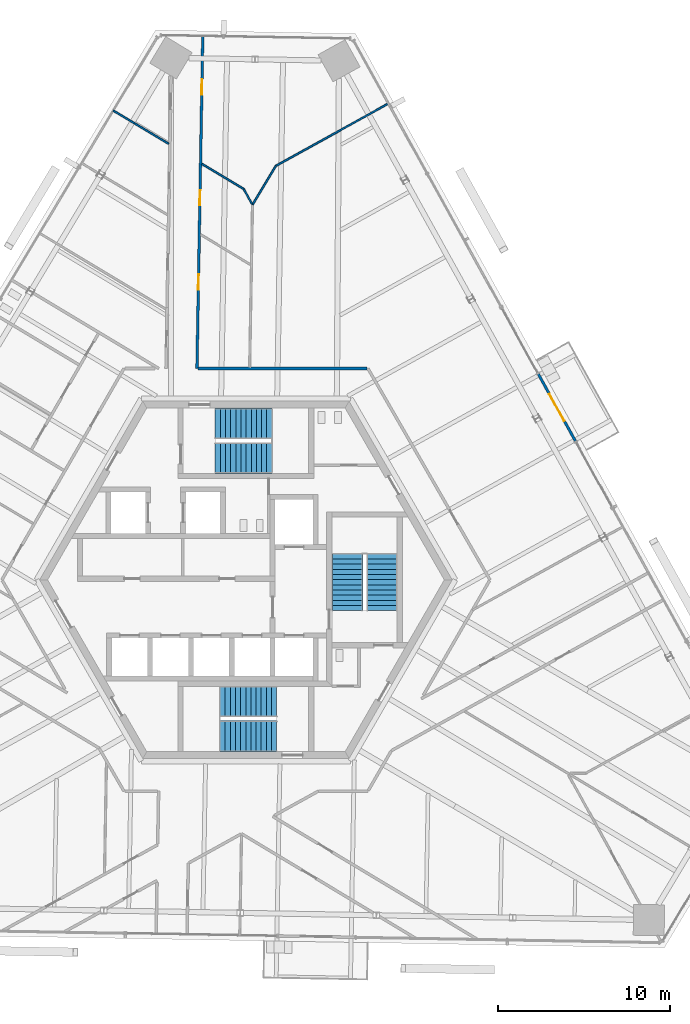
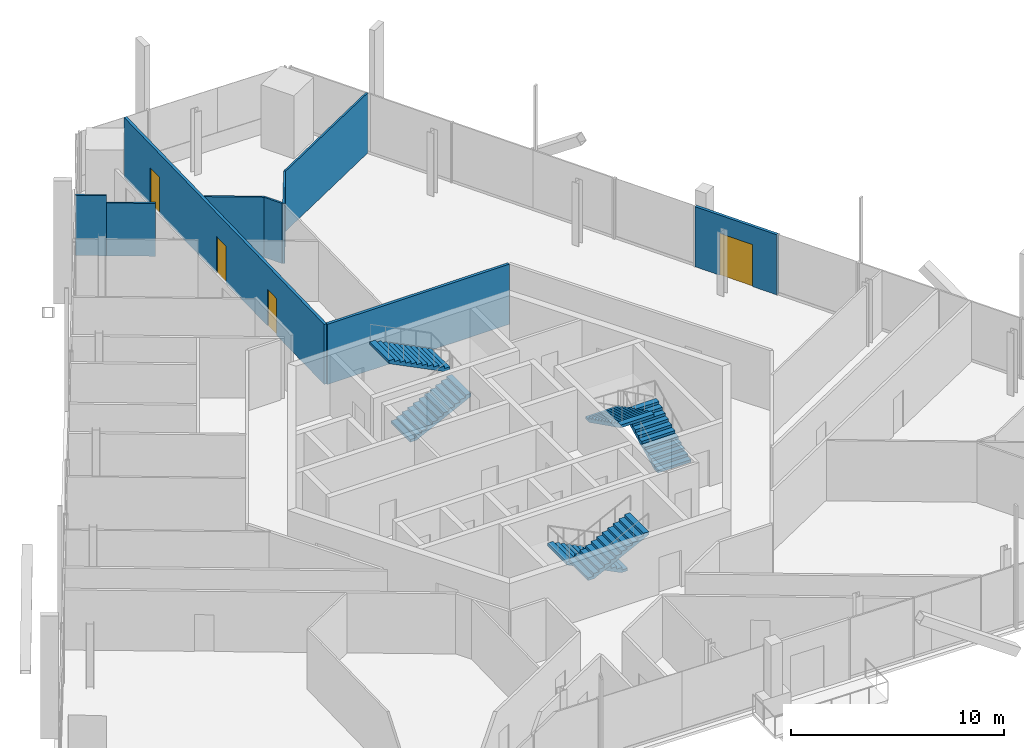
# One storey, part 15 of 21: 9 walls, 6 stair flights, 4 doors, 4 openings, 3 elements without a shape of their own.
"""IFC4 building model written with IfcOpenShell, lengths in metres."""

from ifc_helpers import new_model, si_unit, direction, frame, frame_2d, origin, place, context, subcontext, project, spatial, polyline, rectangle, outline, extrude, source, transform, mapped, material, layer, layer_set, type_object, element, fill, aggregate, save


model = new_model("IFC4")

# Units and contexts
model_context = context("Model", 3, precision=1e-05, world=origin(), true_north=direction((0.0, 1.0)))
body_context = subcontext(model_context, "Body", "Model", "MODEL_VIEW")
ifc_project = project(units=[si_unit("LENGTHUNIT", "METRE"), si_unit("AREAUNIT", "SQUARE_METRE"), si_unit("VOLUMEUNIT", "CUBIC_METRE"), si_unit("PLANEANGLEUNIT", "RADIAN"), si_unit("MASSUNIT", "GRAM", prefix="KILO")], contexts=[model_context])

# Site, building, storey
site_placement = place(None, origin())
site = spatial("IfcSite", under=ifc_project, at=site_placement, CompositionType="ELEMENT")
building_placement = place(site_placement, origin())
building = spatial("IfcBuilding", under=site, at=building_placement, Name="Triune Harvest Tower", CompositionType="ELEMENT")
storey_placement = place(building_placement, frame((0.0, 0.0, 187.10009765625)))
storey = spatial("IfcBuildingStorey", under=building, at=storey_placement, Name="L48", CompositionType="ELEMENT", Elevation=187.10009765625)

# Walls
ifc_material_1 = material(Name="Gypsum board on steel studs", Category="steel")
ifc_layer_1 = layer(ifc_material_1, 0.10009765625)
ifc_layer_set_1 = layer_set([ifc_layer_1], Name="Gypsum board on steel studs")
wall_type_1 = type_object("IfcWallType", Name="Partition 100 mm", PredefinedType="PARTITIONING", material=ifc_layer_set_1)
wall_1_placement = place(storey_placement, frame((-0.126953125, 22.728515625, 0.0), z_axis=(0.0, 0.0, 1.0), x_axis=(0.484718292956, -0.87467032445, 0.0)))
element("IfcWall", 1, at=wall_1_placement, inside=storey, type_object=wall_type_1, Name="Partition L48 001", PredefinedType="PARTITIONING", context=body_context, shape_type="SweptSolid", body=[
    extrude(rectangle(XDim=0.98681640625, YDim=0.10009765625, at=frame_2d((0.493408203125, 0.0))), origin(), (0.0, 0.0, 1.0), 3.43994140625),
])
wall_2_placement = place(storey_placement, frame((-6.47412109375, 26.5478515625, 0.0), z_axis=(0.0, 0.0, 1.0), x_axis=(0.857221571394, -0.514947742529, 0.0)))
element("IfcWall", 2, at=wall_2_placement, inside=storey, type_object=wall_type_1, Name="Partition L48 027a", PredefinedType="PARTITIONING", context=body_context, shape_type="SweptSolid", body=[
    extrude(rectangle(XDim=2.30322265625, YDim=0.10009765625, at=frame_2d((1.151611328125, 0.0))), origin(), (0.0, 0.0, 1.0), 3.023193359375),
])
wall_3_placement = place(storey_placement, frame((-2.563720703125, 24.198486328125, 0.0), z_axis=(0.0, 0.0, 1.0), x_axis=(0.857158696328, -0.515052394722, 0.0)))
element("IfcWall", 3, at=wall_3_placement, inside=storey, type_object=wall_type_1, Name="Partition L48 028", PredefinedType="PARTITIONING", context=body_context, shape_type="SweptSolid", body=[
    extrude(rectangle(XDim=2.83740234375, YDim=0.10009765625, at=frame_2d((1.418701171875, 0.0))), origin(), (0.0, 0.0, 1.0), 3.43994140625),
])
wall_4_placement = place(storey_placement, frame((1.741455078125, 24.077392578125, 0.0), z_axis=(0.0, 0.0, 1.0), x_axis=(0.874612547003, 0.484822537249, 0.0)))
element("IfcWall", 4, at=wall_4_placement, inside=storey, type_object=wall_type_1, Name="Partition L48 045", PredefinedType="PARTITIONING", context=body_context, shape_type="SweptSolid", body=[
    extrude(rectangle(XDim=7.48095703125, YDim=0.10009765625, at=frame_2d((3.740478515625, 0.0))), origin(), (0.0, 0.0, 1.0), 3.43994140625),
])
wall_5_placement = place(storey_placement, frame((0.380615234375, 21.812744140625, 0.0), z_axis=(0.0, 0.0, 1.0), x_axis=(0.515066379237, 0.857150293111, 0.0)))
element("IfcWall", 5, at=wall_5_placement, inside=storey, type_object=wall_type_1, Name="Partition L48 046", PredefinedType="PARTITIONING", context=body_context, shape_type="SweptSolid", body=[
    extrude(rectangle(XDim=2.64208984375, YDim=0.10009765625, at=frame_2d((1.321044921875, 0.0))), origin(), (0.0, 0.0, 1.0), 3.43994140625),
])

# Wall, opening, door
ifc_material_2 = material(Name="Aluminium bronze anodised", Category="aluminium")
ifc_layer_2 = layer(ifc_material_2, 0.14990234375)
ifc_layer_set_2 = layer_set([ifc_layer_2], Name="Aluminium bronze anodised")
wall_type_2 = type_object("IfcWallType", Name="WW-2 balcony window wall", PredefinedType="ELEMENTEDWALL", material=ifc_layer_set_2)
shared_shape_1 = source(origin(), body_context, "Body", "SweptSolid", [
    extrude(rectangle(XDim=4.460693359375, YDim=0.14990234375, at=frame_2d((2.23046875, 0.0))), origin(), (0.0, 0.0, 1.0), 3.43994140625),
])
wall_6_placement = place(storey_placement, frame((17.003173828125, 11.97509765625, 0.0), z_axis=(0.0, 0.0, 1.0), x_axis=(0.484815538564, -0.874616426536, 0.0)))
wall_6 = element("IfcWall", 6, at=wall_6_placement, inside=storey, type_object=wall_type_2, Name="WW-2 B5-F1 L48.6", PredefinedType="ELEMENTEDWALL", context=body_context, shape_type="MappedRepresentation", body=[
    mapped(shared_shape_1, transform((0.0, 0.0, 0.0), scale=1.0)),
])
opening_1_placement = place(wall_6_placement, frame((1.330322265625, 0.0, 0.0)))
opening_1 = element("IfcOpeningElement", 7, at=opening_1_placement, cuts=wall_6, Name="Opening L48-E01", PredefinedType="OPENING", context=body_context, shape_type="SweptSolid", body=[
    extrude(rectangle(XDim=1.800048828125, YDim=2.39990234375, at=frame_2d((0.89990234375, 1.199951171875))), frame((0.0, 0.0849609375, 0.0), z_axis=(0.0, -1.0, 0.0), x_axis=(1.0, 0.0, 0.0)), (0.0, 0.0, 1.0), 0.169921875),
])
ifc_material_3 = material(Name="Glass", Category="glass")
door_type_1 = type_object("IfcDoorType", Name="DB-1 balcony door 1800 x 2400", OperationType="DOUBLE_DOOR_SINGLE_SWING", PredefinedType="DOOR", material=ifc_material_3)
door_1_placement = place(opening_1_placement, origin())
door_1 = element("IfcDoor", 8, at=door_1_placement, inside=storey, type_object=door_type_1, Name="Door L48-E01", OperationType="DOUBLE_DOOR_SINGLE_SWING", OverallHeight=2.39990234375, OverallWidth=1.800048828125, PredefinedType="DOOR", context=body_context, shape_type="SweptSolid", body=[
    extrude(rectangle(XDim=1.800048828125, YDim=2.39990234375, at=frame_2d((0.89990234375, 1.199951171875))), frame((0.0, 0.02490234375, 0.0), z_axis=(0.0, -1.0, 0.0), x_axis=(1.0, 0.0, 0.0)), (0.0, 0.0, 1.0), 0.050048828125),
])
fill(opening_1, door_1)

# Wall
ifc_material_4 = material(Name="Gypsum board on steel studs", Category="steel")
ifc_layer_3 = layer(ifc_material_4, 0.14990234375)
ifc_layer_set_3 = layer_set([ifc_layer_3], Name="Gypsum board on steel studs")
wall_type_3 = type_object("IfcWallType", Name="Fire Partition 150 mm", PredefinedType="PARTITIONING", material=ifc_layer_set_3)
shared_shape_2 = source(origin(), body_context, "Body", "SweptSolid", [
    extrude(rectangle(XDim=9.836669921875, YDim=0.14990234375, at=frame_2d((4.91845703125, 0.0))), origin(), (0.0, 0.0, 1.0), 3.43994140625),
])
wall_7_placement = place(storey_placement, frame((-2.78955078125, 12.292236328125, 0.0), z_axis=(0.0, 0.0, 1.0), x_axis=(1.0, 0.0, 0.0)))
element("IfcWall", 9, at=wall_7_placement, inside=storey, type_object=wall_type_3, Name="Partition L48 033", PredefinedType="PARTITIONING", context=body_context, shape_type="MappedRepresentation", body=[
    mapped(shared_shape_2, transform((0.0, 0.0, 0.0), scale=1.0)),
])

# Wall, openings, doors
shared_shape_3 = source(origin(), body_context, "Body", "SweptSolid", [
    extrude(rectangle(XDim=19.344482421875, YDim=0.14990234375, at=frame_2d((9.67236328125, 0.0))), origin(), (0.0, 0.0, 1.0), 3.43994140625),
])
wall_8_placement = place(storey_placement, frame((-2.849609375, 12.292236328125, 0.0), z_axis=(0.0, 0.0, 1.0), x_axis=(0.01746700904, 0.99984744016, 0.0)))
wall_8 = element("IfcWall", 10, at=wall_8_placement, inside=storey, type_object=wall_type_3, Name="Partition L48 055", PredefinedType="PARTITIONING", context=body_context, shape_type="MappedRepresentation", body=[
    mapped(shared_shape_3, transform((0.0, 0.0, 0.0), scale=1.0)),
])
opening_2_placement = place(wall_8_placement, frame((15.931884765625, 0.0, 0.0)))
opening_2 = element("IfcOpeningElement", 11, at=opening_2_placement, cuts=wall_8, Name="Opening L48-004", PredefinedType="OPENING", context=body_context, shape_type="SweptSolid", body=[
    extrude(rectangle(XDim=0.89990234375, YDim=2.10009765625, at=frame_2d((0.449951171875, 1.050048828125))), frame((0.0, 0.0849609375, 0.0), z_axis=(0.0, -1.0, 0.0), x_axis=(1.0, 0.0, 0.0)), (0.0, 0.0, 1.0), 0.169921875),
])
opening_3_placement = place(wall_8_placement, frame((9.485107421875, 0.0, 0.0)))
opening_3 = element("IfcOpeningElement", 12, at=opening_3_placement, cuts=wall_8, Name="Opening L48-007", PredefinedType="OPENING", context=body_context, shape_type="SweptSolid", body=[
    extrude(rectangle(XDim=0.89990234375, YDim=2.10009765625, at=frame_2d((0.449951171875, 1.050048828125))), frame((0.0, 0.0849609375, 0.0), z_axis=(0.0, -1.0, 0.0), x_axis=(1.0, 0.0, 0.0)), (0.0, 0.0, 1.0), 0.169921875),
])
opening_4_placement = place(wall_8_placement, frame((4.59326171875, 0.0, 0.0)))
opening_4 = element("IfcOpeningElement", 13, at=opening_4_placement, cuts=wall_8, Name="Opening L48-010", PredefinedType="OPENING", context=body_context, shape_type="SweptSolid", body=[
    extrude(rectangle(XDim=0.89990234375, YDim=2.10009765625, at=frame_2d((0.449951171875, 1.050048828125))), frame((0.0, 0.0849609375, 0.0), z_axis=(0.0, -1.0, 0.0), x_axis=(1.0, 0.0, 0.0)), (0.0, 0.0, 1.0), 0.169921875),
])
ifc_material_5 = material(Name="Timber and steel door set", Category="steel")
door_type_2 = type_object("IfcDoorType", Name="Single leaf door FD30 left hand 900 x 2100", OperationType="SINGLE_SWING_LEFT", PredefinedType="DOOR", material=ifc_material_5)
door_2_placement = place(opening_2_placement, origin())
door_2 = element("IfcDoor", 14, at=door_2_placement, inside=storey, type_object=door_type_2, Name="Door L48-004 Reception 48.04", OperationType="SINGLE_SWING_LEFT", OverallHeight=2.10009765625, OverallWidth=0.89990234375, PredefinedType="DOOR", context=body_context, shape_type="SweptSolid", body=[
    extrude(rectangle(XDim=0.89990234375, YDim=2.10009765625, at=frame_2d((0.449951171875, 1.050048828125))), frame((0.0, 0.02490234375, 0.0), z_axis=(0.0, -1.0, 0.0), x_axis=(1.0, 0.0, 0.0)), (0.0, 0.0, 1.0), 0.050048828125),
])
fill(opening_2, door_2)
door_3_placement = place(opening_3_placement, origin())
door_3 = element("IfcDoor", 15, at=door_3_placement, inside=storey, type_object=door_type_2, Name="Door L48-007 Office 48.07", OperationType="SINGLE_SWING_LEFT", OverallHeight=2.10009765625, OverallWidth=0.89990234375, PredefinedType="DOOR", context=body_context, shape_type="SweptSolid", body=[
    extrude(rectangle(XDim=0.89990234375, YDim=2.10009765625, at=frame_2d((0.449951171875, 1.050048828125))), frame((0.0, 0.02490234375, 0.0), z_axis=(0.0, -1.0, 0.0), x_axis=(1.0, 0.0, 0.0)), (0.0, 0.0, 1.0), 0.050048828125),
])
fill(opening_3, door_3)
ifc_material_6 = material(Name="Timber and steel door set", Category="steel")
door_type_3 = type_object("IfcDoorType", Name="Single leaf door FD30 right hand 900 x 2100", OperationType="SINGLE_SWING_RIGHT", PredefinedType="DOOR", material=ifc_material_6)
door_4_placement = place(opening_4_placement, origin())
door_4 = element("IfcDoor", 16, at=door_4_placement, inside=storey, type_object=door_type_3, Name="Door L48-010 Office 48.10", OperationType="SINGLE_SWING_RIGHT", OverallHeight=2.10009765625, OverallWidth=0.89990234375, PredefinedType="DOOR", context=body_context, shape_type="SweptSolid", body=[
    extrude(rectangle(XDim=0.89990234375, YDim=2.10009765625, at=frame_2d((0.449951171875, 1.050048828125))), frame((0.0, 0.02490234375, 0.0), z_axis=(0.0, -1.0, 0.0), x_axis=(1.0, 0.0, 0.0)), (0.0, 0.0, 1.0), 0.050048828125),
])
fill(opening_4, door_4)

# Wall
shared_shape_4 = source(origin(), body_context, "Body", "SweptSolid", [
    extrude(rectangle(XDim=1.45458984375, YDim=0.10009765625, at=frame_2d((0.727294921875, 0.0))), origin(), (0.0, 0.0, 1.0), 3.43994140625),
])
wall_9_placement = place(storey_placement, frame((-7.720947265625, 27.297119140625, 0.0), z_axis=(0.0, 0.0, 1.0), x_axis=(0.857137304173, -0.515087994225, 0.0)))
element("IfcWall", 17, at=wall_9_placement, inside=storey, type_object=wall_type_1, Name="Partition L48 027", PredefinedType="PARTITIONING", context=body_context, shape_type="MappedRepresentation", body=[
    mapped(shared_shape_4, transform((0.0, 0.0, 0.0), scale=1.0)),
])

# Stair, stair flights
ifc_material_7 = material(Name="Concrete 40 MPa", Category="concrete")
stair_type = type_object("IfcStairType", Name="Exit stair 1800 half turn", PredefinedType="HALF_TURN_STAIR", material=ifc_material_7)
stair_1_placement = place(storey_placement, origin())
stair_1 = element("IfcStair", 18, at=stair_1_placement, inside=storey, type_object=stair_type, Name="Exit stair north", PredefinedType="HALF_TURN_STAIR")
ifc_material_8 = material(Name="Concrete 40 MPa", Category="concrete")
stair_flight_type = type_object("IfcStairFlightType", Name="Stair flight 1800", PredefinedType="STRAIGHT", material=ifc_material_8)
shared_shape_5 = source(origin(), body_context, "Body", "SweptSolid", [
    extrude(outline(polyline([(0.0, 0.0), (0.0, 0.14990234375), (0.300048828125, 0.14990234375), (0.300048828125, 0.300048828125), (0.60009765625, 0.300048828125), (0.60009765625, 0.449951171875), (0.89990234375, 0.449951171875), (0.89990234375, 0.60009765625), (1.199951171875, 0.60009765625), (1.199951171875, 0.75), (1.5, 0.75), (1.5, 0.89990234375), (1.800048828125, 0.89990234375), (1.800048828125, 1.050048828125), (2.10009765625, 1.050048828125), (2.10009765625, 1.199951171875), (2.39990234375, 1.199951171875), (2.39990234375, 1.35009765625), (2.699951171875, 1.35009765625), (2.699951171875, 1.5), (3.0, 1.5), (3.0, 1.64990234375), (3.300048828125, 1.64990234375), (3.300048828125, 1.800048828125), (3.300048828125, 1.482421875), (0.335205078125, 0.0), (0.0, 0.0)])), frame((0.0, 0.89990234375, 0.0), z_axis=(0.0, -1.0, 0.0), x_axis=(1.0, 0.0, 0.0)), (0.0, 0.0, 1.0), 1.800048828125),
])
stair_flight_1_placement = place(storey_placement, frame((-1.7900390625, 7.090087890625, 0.0), z_axis=(0.0, 0.0, 1.0), x_axis=(1.0, 0.0, 0.0)))
stair_flight_1 = element("IfcStairFlight", 19, at=stair_flight_1_placement, type_object=stair_flight_type, Name="ST-1 flight 1", NumberOfRisers=12, NumberOfTreads=11, PredefinedType="STRAIGHT", RiserHeight=0.15, TreadLength=0.3, context=body_context, shape_type="MappedRepresentation", body=[
    mapped(shared_shape_5, transform((0.0, 0.0, 0.0), scale=1.0)),
])
stair_flight_2_placement = place(storey_placement, frame((1.510009765625, 9.090087890625, 1.7998046875), z_axis=(0.0, 0.0, 1.0), x_axis=(-1.0, 0.0, 0.0)))
stair_flight_2 = element("IfcStairFlight", 20, at=stair_flight_2_placement, type_object=stair_flight_type, Name="ST-1 flight 2", NumberOfRisers=12, NumberOfTreads=11, PredefinedType="STRAIGHT", RiserHeight=0.15, TreadLength=0.3, context=body_context, shape_type="MappedRepresentation", body=[
    mapped(shared_shape_5, transform((0.0, 0.0, 0.0), scale=1.0)),
])
aggregate(stair_1, [stair_flight_1, stair_flight_2])

stair_2_placement = place(storey_placement, origin())
stair_2 = element("IfcStair", 21, at=stair_2_placement, inside=storey, type_object=stair_type, Name="Exit stair south", PredefinedType="HALF_TURN_STAIR")
stair_flight_3_placement = place(storey_placement, frame((1.7900390625, -7.090087890625, 0.0), z_axis=(0.0, 0.0, 1.0), x_axis=(-1.0, 0.0, 0.0)))
stair_flight_3 = element("IfcStairFlight", 22, at=stair_flight_3_placement, type_object=stair_flight_type, Name="ST-2 flight 1", NumberOfRisers=12, NumberOfTreads=11, PredefinedType="STRAIGHT", RiserHeight=0.15, TreadLength=0.3, context=body_context, shape_type="MappedRepresentation", body=[
    mapped(shared_shape_5, transform((0.0, 0.0, 0.0), scale=1.0)),
])
stair_flight_4_placement = place(storey_placement, frame((-1.510009765625, -9.090087890625, 1.7998046875), z_axis=(0.0, 0.0, 1.0), x_axis=(1.0, 0.0, 0.0)))
stair_flight_4 = element("IfcStairFlight", 23, at=stair_flight_4_placement, type_object=stair_flight_type, Name="ST-2 flight 2", NumberOfRisers=12, NumberOfTreads=11, PredefinedType="STRAIGHT", RiserHeight=0.15, TreadLength=0.3, context=body_context, shape_type="MappedRepresentation", body=[
    mapped(shared_shape_5, transform((0.0, 0.0, 0.0), scale=1.0)),
])
aggregate(stair_2, [stair_flight_3, stair_flight_4])

stair_3_placement = place(storey_placement, origin())
stair_3 = element("IfcStair", 24, at=stair_3_placement, inside=storey, type_object=stair_type, Name="Exit stair east", PredefinedType="HALF_TURN_STAIR")
stair_flight_5_placement = place(storey_placement, frame((7.89990234375, -1.7900390625, 0.0), z_axis=(0.0, 0.0, 1.0), x_axis=(0.0, 1.0, 0.0)))
stair_flight_5 = element("IfcStairFlight", 25, at=stair_flight_5_placement, type_object=stair_flight_type, Name="ST-3 flight 1", NumberOfRisers=12, NumberOfTreads=11, PredefinedType="STRAIGHT", RiserHeight=0.15, TreadLength=0.3, context=body_context, shape_type="MappedRepresentation", body=[
    mapped(shared_shape_5, transform((0.0, 0.0, 0.0), scale=1.0)),
])
stair_flight_6_placement = place(storey_placement, frame((5.89990234375, 1.510009765625, 1.7998046875), z_axis=(0.0, 0.0, 1.0), x_axis=(0.0, -1.0, 0.0)))
stair_flight_6 = element("IfcStairFlight", 26, at=stair_flight_6_placement, type_object=stair_flight_type, Name="ST-3 flight 2", NumberOfRisers=12, NumberOfTreads=11, PredefinedType="STRAIGHT", RiserHeight=0.15, TreadLength=0.3, context=body_context, shape_type="MappedRepresentation", body=[
    mapped(shared_shape_5, transform((0.0, 0.0, 0.0), scale=1.0)),
])
aggregate(stair_3, [stair_flight_5, stair_flight_6])

save(model, "model.ifc")
